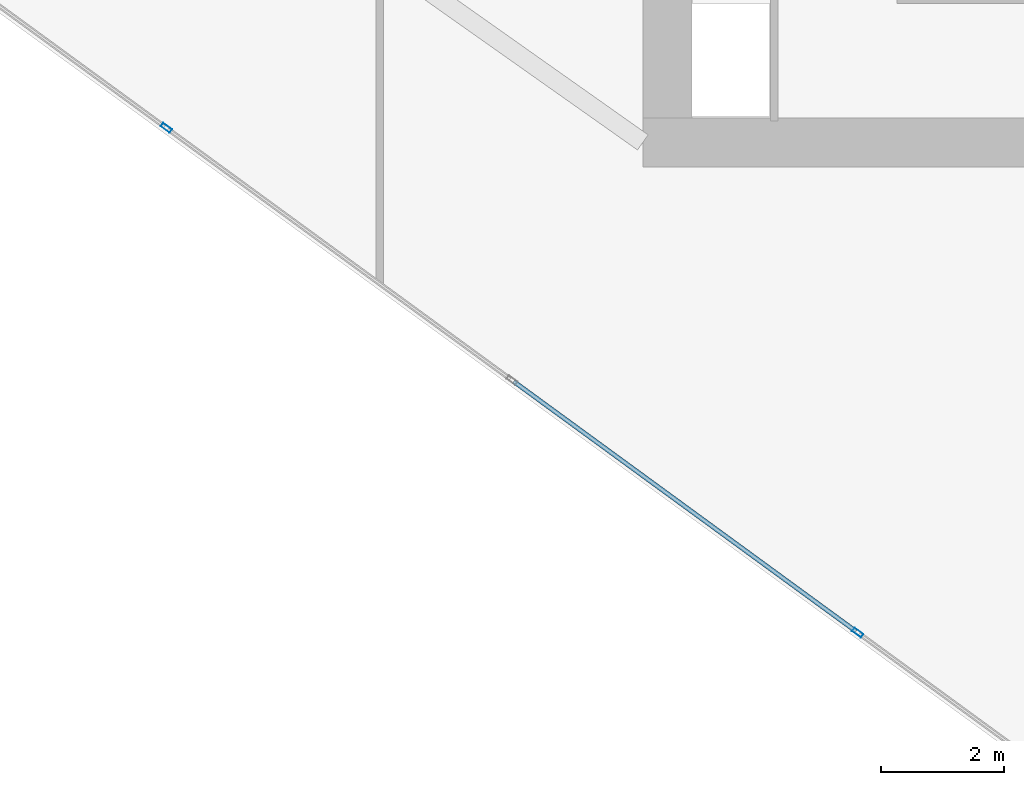
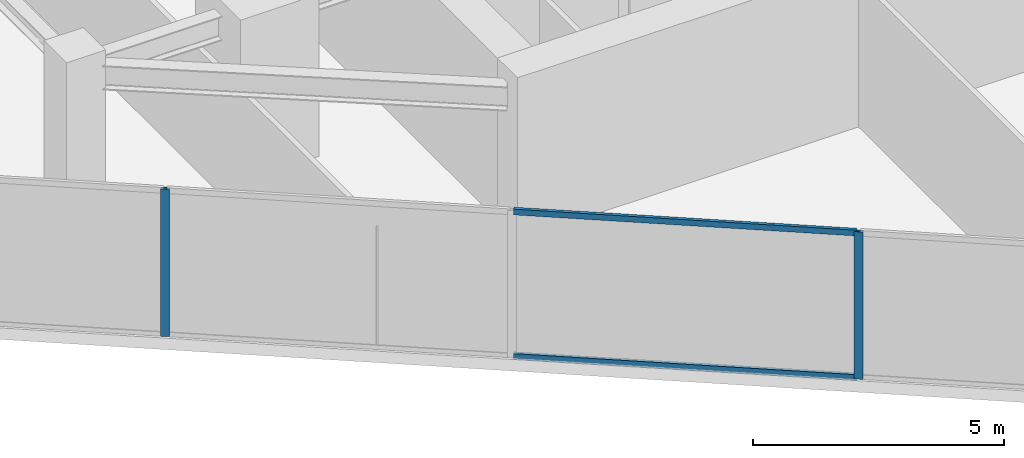
# One storey, part 2 of 25: 4 members, 1 element without a shape of its own.
"""IFC4 building model written with IfcOpenShell, lengths in metres."""

from ifc_helpers import new_model, si_unit, direction, frame, origin, origin_2d, place, context, subcontext, project, spatial, hollow_rectangle, extrude, source, transform, mapped, material, material_profile, profile_set, type_object, type_shapes, element, aggregate, save


model = new_model("IFC4")

# Units and contexts
model_context = context("Model", 3, precision=1e-05, world=origin(), true_north=direction((0.0, 1.0)))
body_context = subcontext(model_context, "Body", "Model", "MODEL_VIEW")
ifc_project = project(units=[si_unit("LENGTHUNIT", "METRE"), si_unit("AREAUNIT", "SQUARE_METRE"), si_unit("VOLUMEUNIT", "CUBIC_METRE"), si_unit("PLANEANGLEUNIT", "RADIAN"), si_unit("MASSUNIT", "GRAM", prefix="KILO")], contexts=[model_context])

# Site, building, storey
site_placement = place(None, origin())
site = spatial("IfcSite", under=ifc_project, at=site_placement, CompositionType="ELEMENT")
building_placement = place(site_placement, origin())
building = spatial("IfcBuilding", under=site, at=building_placement, Name="Krantzveldt Concourse Tower", CompositionType="ELEMENT")
storey_placement = place(building_placement, frame((0.0, 0.0, 197.550048828125)))
storey = spatial("IfcBuildingStorey", under=building, at=storey_placement, Name="L48", CompositionType="ELEMENT", Elevation=197.550048828125)

# Curtain wall, members
ifc_material = material(Name="Anodised aluminium 6063-T6", Category="aluminium")
curtain_wall_type = type_object("IfcCurtainWallType", Name="CW3", PredefinedType="USERDEFINED", material=ifc_material)
curtain_wall_placement = place(storey_placement, origin())
curtain_wall = element("IfcCurtainWall", 1, at=curtain_wall_placement, inside=storey, type_object=curtain_wall_type, Name="CW-L48-F04", ObjectType="UNITISED CURTAIN WALL", PredefinedType="USERDEFINED")
ifc_material_profile_1 = material_profile(ifc_material, hollow_rectangle(XDim=0.070068359375, YDim=0.179931640625, WallThickness=0.0048828125, at=origin_2d()), Name="Anodised aluminium 6063-T6", Category="aluminium")
ifc_profile_set_1 = profile_set([ifc_material_profile_1], Name="Anodised aluminium 6063-T6 - ALU-MULL 180x70x5")
member_type_1 = type_object("IfcMemberType", Name="CW-MUL-180", PredefinedType="MULLION", material=ifc_profile_set_1)
shared_shape_1 = source(origin(), body_context, "Body", "SweptSolid", [
    extrude(hollow_rectangle(XDim=0.070068359375, YDim=0.179931640625, WallThickness=0.0048828125, at=origin_2d()), origin(), (0.0, 0.0, 1.0), 3.58984375),
])
type_shapes(member_type_1, [shared_shape_1])
member_1_placement = place(storey_placement, frame((20.3310546875, 11.135009765625, 0.0), z_axis=(0.0, 0.0, 1.0), x_axis=(0.589548833895, 0.807732735781, 0.0)))
member_1 = element("IfcMember", 2, at=member_1_placement, type_object=member_type_1, Name="CW-Z34 mullion 3", PredefinedType="MULLION", context=body_context, shape_type="MappedRepresentation", body=[
    mapped(shared_shape_1, transform((0.0, 0.0, 0.0), x_axis=(1.0, 0.0, 0.0), y_axis=(0.0, 1.0, 0.0), z_axis=(0.0, 0.0, 1.0), scale=1.0)),
])
member_2_placement = place(storey_placement, frame((31.57470703125, 2.928466796875, 0.0), z_axis=(0.0, 0.0, 1.0), x_axis=(0.589548833895, 0.807732735781, 0.0)))
member_2 = element("IfcMember", 3, at=member_2_placement, type_object=member_type_1, Name="CW-Z34 mullion 5", PredefinedType="MULLION", context=body_context, shape_type="MappedRepresentation", body=[
    mapped(shared_shape_1, transform((0.0, 0.0, 0.0), x_axis=(1.0, 0.0, 0.0), y_axis=(0.0, 1.0, 0.0), z_axis=(0.0, 0.0, 1.0), scale=1.0)),
])
ifc_material_profile_2 = material_profile(ifc_material, hollow_rectangle(XDim=0.070068359375, YDim=0.139892578125, WallThickness=0.0048828125, at=origin_2d()), Name="Anodised aluminium 6063-T6", Category="aluminium")
ifc_profile_set_2 = profile_set([ifc_material_profile_2], Name="Anodised aluminium 6063-T6 - ALU-TRAN 140x70x5")
member_type_2 = type_object("IfcMemberType", Name="CW-TRN-150", PredefinedType="USERDEFINED", material=ifc_profile_set_2)
shared_shape_2 = source(origin(), body_context, "Body", "SweptSolid", [
    extrude(hollow_rectangle(XDim=0.070068359375, YDim=0.139892578125, WallThickness=0.0048828125, at=origin_2d()), origin(), (0.0, 0.0, 1.0), 6.889892578125),
])
type_shapes(member_type_2, [shared_shape_2])
member_3_placement = place(storey_placement, frame((25.981201171875, 7.010986328125, 0.034912109375), z_axis=(0.807726644352, -0.589557179589, 0.0), x_axis=(0.589557179589, 0.807726644352, 0.0)))
member_3 = element("IfcMember", 4, at=member_3_placement, type_object=member_type_2, Name="CW-Z34 transom 4.1", ObjectType="TRANSOM", PredefinedType="USERDEFINED", context=body_context, shape_type="MappedRepresentation", body=[
    mapped(shared_shape_2, transform((0.0, 0.0, 0.0), x_axis=(1.0, 0.0, 0.0), y_axis=(0.0, 1.0, 0.0), z_axis=(0.0, 0.0, 1.0), scale=1.0)),
])
member_4_placement = place(storey_placement, frame((25.981201171875, 7.010986328125, 3.554931640625), z_axis=(0.807726644352, -0.589557179589, 0.0), x_axis=(0.589557179589, 0.807726644352, 0.0)))
member_4 = element("IfcMember", 5, at=member_4_placement, type_object=member_type_2, Name="CW-Z34 transom 4.2", ObjectType="TRANSOM", PredefinedType="USERDEFINED", context=body_context, shape_type="MappedRepresentation", body=[
    mapped(shared_shape_2, transform((0.0, 0.0, 0.0), x_axis=(1.0, 0.0, 0.0), y_axis=(0.0, 1.0, 0.0), z_axis=(0.0, 0.0, 1.0), scale=1.0)),
])
aggregate(curtain_wall, [member_1, member_2, member_3, member_4])

save(model, "model.ifc")
